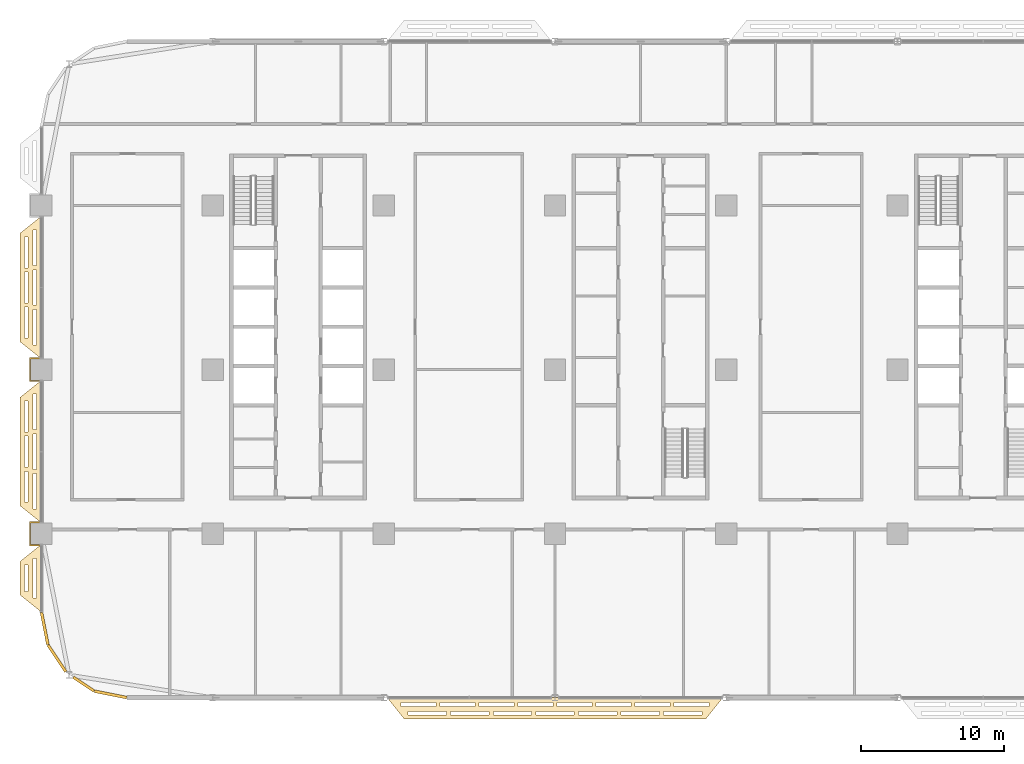
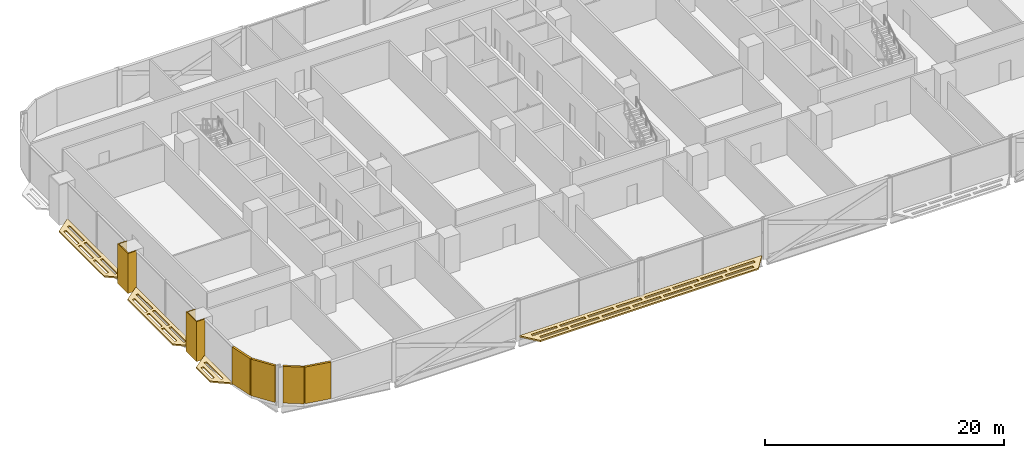
# One storey, part 24 of 29: 10 coverings.
"""IFC4 building model written with IfcOpenShell, lengths in metres."""

from ifc_helpers import new_model, si_unit, direction, frame, origin, origin_2d, place, context, subcontext, project, spatial, polyline, rectangle, outline, extrude, material, layer, layer_set, type_object, element, save


model = new_model("IFC4")

# Units and contexts
model_context = context("Model", 3, precision=1e-05, world=origin(), true_north=direction((0.0, 1.0)))
body_context = subcontext(model_context, "Body", "Model", "MODEL_VIEW")
ifc_project = project(units=[si_unit("LENGTHUNIT", "METRE"), si_unit("AREAUNIT", "SQUARE_METRE"), si_unit("VOLUMEUNIT", "CUBIC_METRE"), si_unit("PLANEANGLEUNIT", "RADIAN"), si_unit("MASSUNIT", "GRAM", prefix="KILO")], contexts=[model_context])

# Site, building, storey
site_placement = place(None, origin())
site = spatial("IfcSite", under=ifc_project, at=site_placement, CompositionType="ELEMENT")
building_placement = place(site_placement, origin())
building = spatial("IfcBuilding", under=site, at=building_placement, Name="Mahtab Terrace Research Tower", CompositionType="ELEMENT")
storey_placement = place(building_placement, frame((0.0, 0.0, 76.10009765625)))
storey = spatial("IfcBuildingStorey", under=building, at=storey_placement, Name="L17", CompositionType="ELEMENT", Elevation=76.10009765625)

# Coverings
ifc_material_1 = material(Name="Black aluminium cladding panel", Category="aluminium")
ifc_layer_1 = layer(ifc_material_1, 0.199951171875)
ifc_layer_set_1 = layer_set([ifc_layer_1], Name="Black metal corner cladding 200")
covering_type_1 = type_object("IfcCoveringType", Name="Black metal corner cladding 200", PredefinedType="CLADDING", material=ifc_layer_set_1)
covering_1_placement = place(storey_placement, frame((-41.771484375, -18.14794921875, 0.0), z_axis=(0.0, 0.0, 1.0), x_axis=(0.195212442692, -0.980760981187, 0.0)))
element("IfcCovering", 1, at=covering_1_placement, inside=storey, type_object=covering_type_1, Name="Corner cladding L17 19", PredefinedType="CLADDING", context=body_context, shape_type="SweptSolid", body=[
    extrude(rectangle(XDim=2.30126953125, YDim=0.199951171875, at=origin_2d()), origin(), (0.0, 0.0, 1.0), 3.75),
])
covering_2_placement = place(storey_placement, frame((-40.911376953125, -20.2421875, 0.0), z_axis=(0.0, 0.0, 1.0), x_axis=(0.555291490808, -0.831655794326, 0.0)))
element("IfcCovering", 2, at=covering_2_placement, inside=storey, type_object=covering_type_1, Name="Corner cladding L17 20", PredefinedType="CLADDING", context=body_context, shape_type="SweptSolid", body=[
    extrude(rectangle(XDim=2.235595703125, YDim=0.199951171875, at=origin_2d()), origin(), (0.0, 0.0, 1.0), 3.75),
])
covering_3_placement = place(storey_placement, frame((-39.0380859375, -22.047607421875, 0.0), z_axis=(0.0, 0.0, 1.0), x_axis=(0.831655794326, -0.555291490808, 0.0)))
element("IfcCovering", 3, at=covering_3_placement, inside=storey, type_object=covering_type_1, Name="Corner cladding L17 21", PredefinedType="CLADDING", context=body_context, shape_type="SweptSolid", body=[
    extrude(rectangle(XDim=1.74462890625, YDim=0.199951171875, at=origin_2d()), origin(), (0.0, 0.0, 1.0), 3.75),
])
covering_4_placement = place(storey_placement, frame((-37.14794921875, -22.771484375, 0.0), z_axis=(0.0, 0.0, 1.0), x_axis=(0.980760981187, -0.195212442692, 0.0)))
element("IfcCovering", 4, at=covering_4_placement, inside=storey, type_object=covering_type_1, Name="Corner cladding L17 22", PredefinedType="CLADDING", context=body_context, shape_type="SweptSolid", body=[
    extrude(rectangle(XDim=2.30126953125, YDim=0.199951171875, at=origin_2d()), origin(), (0.0, 0.0, 1.0), 3.75),
])
ifc_material_2 = material(Name="Dark anodised aluminium cladding", Category="aluminium")
ifc_layer_2 = layer(ifc_material_2, 0.10009765625)
ifc_layer_set_2 = layer_set([ifc_layer_2], Name="Column casing 100")
covering_type_2 = type_object("IfcCoveringType", Name="Column casing 100", PredefinedType="CLADDING", material=ifc_layer_set_2)
covering_5_placement = place(storey_placement, frame((0.0, 0.0, -0.340087890625)))
element("IfcCovering", 5, at=covering_5_placement, inside=storey, type_object=covering_type_2, Name="Column casing RC-1A L17", PredefinedType="CLADDING", context=body_context, shape_type="SweptSolid", body=[
    extrude(outline(polyline([(-42.85009765625, -10.64990234375), (-42.0, -10.64990234375), (-42.0, -10.75), (-42.75, -10.75), (-42.75, -12.25), (-42.0, -12.25), (-42.0, -12.35009765625), (-42.85009765625, -12.35009765625), (-42.85009765625, -10.64990234375)])), origin(), (0.0, 0.0, 1.0), 4.090087890625),
])
covering_6_placement = place(storey_placement, frame((0.0, 0.0, -0.340087890625)))
element("IfcCovering", 6, at=covering_6_placement, inside=storey, type_object=covering_type_2, Name="Column casing RC-1B L17", PredefinedType="CLADDING", context=body_context, shape_type="SweptSolid", body=[
    extrude(outline(polyline([(-42.85009765625, 0.85009765625), (-42.0, 0.85009765625), (-42.0, 0.75), (-42.75, 0.75), (-42.75, -0.75), (-42.0, -0.75), (-42.0, -0.85009765625), (-42.85009765625, -0.85009765625), (-42.85009765625, 0.85009765625)])), origin(), (0.0, 0.0, 1.0), 4.090087890625),
])
ifc_material_3 = material(Name="Black anodised aluminium", Category="aluminium")
ifc_layer_3 = layer(ifc_material_3, 0.14990234375)
ifc_layer_set_3 = layer_set([ifc_layer_3], Name="Horizontal sunshade band")
covering_type_3 = type_object("IfcCoveringType", Name="Horizontal sunshade band", PredefinedType="CLADDING", material=ifc_layer_set_3)
covering_7_placement = place(storey_placement, frame((0.0, 0.0, -0.150146484375)))
element("IfcCovering", 7, at=covering_7_placement, inside=storey, type_object=covering_type_3, Name="Sunshade band L17 16", PredefinedType="CLADDING", context=body_context, shape_type="SweptSolid", body=[
    extrude(outline(polyline([(-42.0, 10.75), (-42.0, 0.75), (-43.5, 1.949951171875), (-43.5, 9.550048828125), (-42.0, 10.75)]), holes=[polyline([(-42.35009765625, 9.77001953125), (-42.35009765625, 7.2900390625), (-42.60009765625, 7.2900390625), (-42.60009765625, 9.77001953125), (-42.35009765625, 9.77001953125)]), polyline([(-42.35009765625, 6.989990234375), (-42.35009765625, 4.510009765625), (-42.60009765625, 4.510009765625), (-42.60009765625, 6.989990234375), (-42.35009765625, 6.989990234375)]), polyline([(-42.35009765625, 4.2099609375), (-42.35009765625, 1.72998046875), (-42.60009765625, 1.72998046875), (-42.60009765625, 4.2099609375), (-42.35009765625, 4.2099609375)]), polyline([(-42.949951171875, 9.2900390625), (-42.949951171875, 7.1298828125), (-43.199951171875, 7.1298828125), (-43.199951171875, 9.2900390625), (-42.949951171875, 9.2900390625)]), polyline([(-42.949951171875, 6.830078125), (-42.949951171875, 4.669921875), (-43.199951171875, 4.669921875), (-43.199951171875, 6.830078125), (-42.949951171875, 6.830078125)]), polyline([(-42.949951171875, 4.3701171875), (-42.949951171875, 2.2099609375), (-43.199951171875, 2.2099609375), (-43.199951171875, 4.3701171875), (-42.949951171875, 4.3701171875)])]), origin(), (0.0, 0.0, 1.0), 0.150146484375),
])
covering_8_placement = place(storey_placement, frame((0.0, 0.0, -0.150146484375)))
element("IfcCovering", 8, at=covering_8_placement, inside=storey, type_object=covering_type_3, Name="Sunshade band L17 17", PredefinedType="CLADDING", context=body_context, shape_type="SweptSolid", body=[
    extrude(outline(polyline([(-42.0, -0.75), (-42.0, -10.75), (-43.5, -9.550048828125), (-43.5, -1.949951171875), (-42.0, -0.75)]), holes=[polyline([(-42.35009765625, -1.72998046875), (-42.35009765625, -4.2099609375), (-42.60009765625, -4.2099609375), (-42.60009765625, -1.72998046875), (-42.35009765625, -1.72998046875)]), polyline([(-42.35009765625, -4.510009765625), (-42.35009765625, -6.989990234375), (-42.60009765625, -6.989990234375), (-42.60009765625, -4.510009765625), (-42.35009765625, -4.510009765625)]), polyline([(-42.35009765625, -7.2900390625), (-42.35009765625, -9.77001953125), (-42.60009765625, -9.77001953125), (-42.60009765625, -7.2900390625), (-42.35009765625, -7.2900390625)]), polyline([(-42.949951171875, -2.2099609375), (-42.949951171875, -4.3701171875), (-43.199951171875, -4.3701171875), (-43.199951171875, -2.2099609375), (-42.949951171875, -2.2099609375)]), polyline([(-42.949951171875, -4.669921875), (-42.949951171875, -6.830078125), (-43.199951171875, -6.830078125), (-43.199951171875, -4.669921875), (-42.949951171875, -4.669921875)]), polyline([(-42.949951171875, -7.1298828125), (-42.949951171875, -9.2900390625), (-43.199951171875, -9.2900390625), (-43.199951171875, -7.1298828125), (-42.949951171875, -7.1298828125)])]), origin(), (0.0, 0.0, 1.0), 0.150146484375),
])
covering_9_placement = place(storey_placement, frame((0.0, 0.0, -0.150146484375)))
element("IfcCovering", 9, at=covering_9_placement, inside=storey, type_object=covering_type_3, Name="Sunshade band L17 18", PredefinedType="CLADDING", context=body_context, shape_type="SweptSolid", body=[
    extrude(outline(polyline([(-42.0, -12.25), (-42.0, -17.0), (-43.5, -15.800048828125), (-43.5, -13.449951171875), (-42.0, -12.25)]), holes=[polyline([(-42.35009765625, -13.22998046875), (-42.35009765625, -16.02001953125), (-42.60009765625, -16.02001953125), (-42.60009765625, -13.22998046875), (-42.35009765625, -13.22998046875)]), polyline([(-42.949951171875, -13.7099609375), (-42.949951171875, -15.5400390625), (-43.199951171875, -15.5400390625), (-43.199951171875, -13.7099609375), (-42.949951171875, -13.7099609375)])]), origin(), (0.0, 0.0, 1.0), 0.150146484375),
])
covering_10_placement = place(storey_placement, frame((0.0, 0.0, -0.150146484375)))
element("IfcCovering", 10, at=covering_10_placement, inside=storey, type_object=covering_type_3, Name="Sunshade band L17 25", PredefinedType="CLADDING", context=body_context, shape_type="SweptSolid", body=[
    extrude(outline(polyline([(-17.761962890625, -23.0), (5.761962890625, -23.0), (4.56201171875, -24.5), (-16.56201171875, -24.5), (-17.761962890625, -23.0)]), holes=[polyline([(-16.781982421875, -23.35009765625), (-14.34912109375, -23.35009765625), (-14.34912109375, -23.60009765625), (-16.781982421875, -23.60009765625), (-16.781982421875, -23.35009765625)]), polyline([(-14.049072265625, -23.35009765625), (-11.615966796875, -23.35009765625), (-11.615966796875, -23.60009765625), (-14.049072265625, -23.60009765625), (-14.049072265625, -23.35009765625)]), polyline([(-11.31591796875, -23.35009765625), (-8.883056640625, -23.35009765625), (-8.883056640625, -23.60009765625), (-11.31591796875, -23.60009765625), (-11.31591796875, -23.35009765625)]), polyline([(-8.5830078125, -23.35009765625), (-6.14990234375, -23.35009765625), (-6.14990234375, -23.60009765625), (-8.5830078125, -23.60009765625), (-8.5830078125, -23.35009765625)]), polyline([(-5.85009765625, -23.35009765625), (-3.4169921875, -23.35009765625), (-3.4169921875, -23.60009765625), (-5.85009765625, -23.60009765625), (-5.85009765625, -23.35009765625)]), polyline([(-3.116943359375, -23.35009765625), (-0.68408203125, -23.35009765625), (-0.68408203125, -23.60009765625), (-3.116943359375, -23.60009765625), (-3.116943359375, -23.35009765625)]), polyline([(-0.384033203125, -23.35009765625), (2.049072265625, -23.35009765625), (2.049072265625, -23.60009765625), (-0.384033203125, -23.60009765625), (-0.384033203125, -23.35009765625)]), polyline([(2.34912109375, -23.35009765625), (4.781982421875, -23.35009765625), (4.781982421875, -23.60009765625), (2.34912109375, -23.60009765625), (2.34912109375, -23.35009765625)]), polyline([(-16.302001953125, -23.949951171875), (-13.615966796875, -23.949951171875), (-13.615966796875, -24.199951171875), (-16.302001953125, -24.199951171875), (-16.302001953125, -23.949951171875)]), polyline([(-13.31591796875, -23.949951171875), (-10.62890625, -23.949951171875), (-10.62890625, -24.199951171875), (-13.31591796875, -24.199951171875), (-13.31591796875, -23.949951171875)]), polyline([(-10.3291015625, -23.949951171875), (-7.64306640625, -23.949951171875), (-7.64306640625, -24.199951171875), (-10.3291015625, -24.199951171875), (-10.3291015625, -23.949951171875)]), polyline([(-7.343017578125, -23.949951171875), (-4.656982421875, -23.949951171875), (-4.656982421875, -24.199951171875), (-7.343017578125, -24.199951171875), (-7.343017578125, -23.949951171875)]), polyline([(-4.35693359375, -23.949951171875), (-1.6708984375, -23.949951171875), (-1.6708984375, -24.199951171875), (-4.35693359375, -24.199951171875), (-4.35693359375, -23.949951171875)]), polyline([(-1.37109375, -23.949951171875), (1.31591796875, -23.949951171875), (1.31591796875, -24.199951171875), (-1.37109375, -24.199951171875), (-1.37109375, -23.949951171875)]), polyline([(1.615966796875, -23.949951171875), (4.302001953125, -23.949951171875), (4.302001953125, -24.199951171875), (1.615966796875, -24.199951171875), (1.615966796875, -23.949951171875)])]), origin(), (0.0, 0.0, 1.0), 0.150146484375),
])

save(model, "model.ifc")
